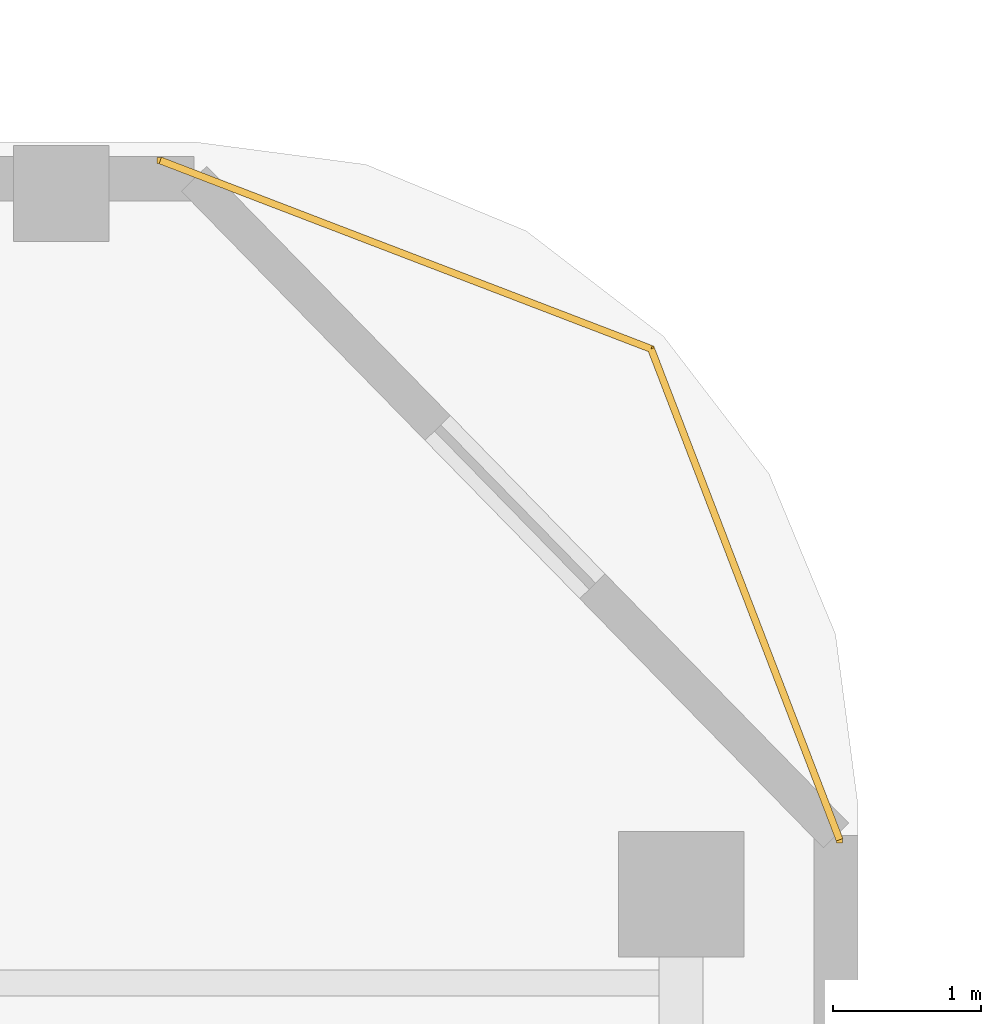
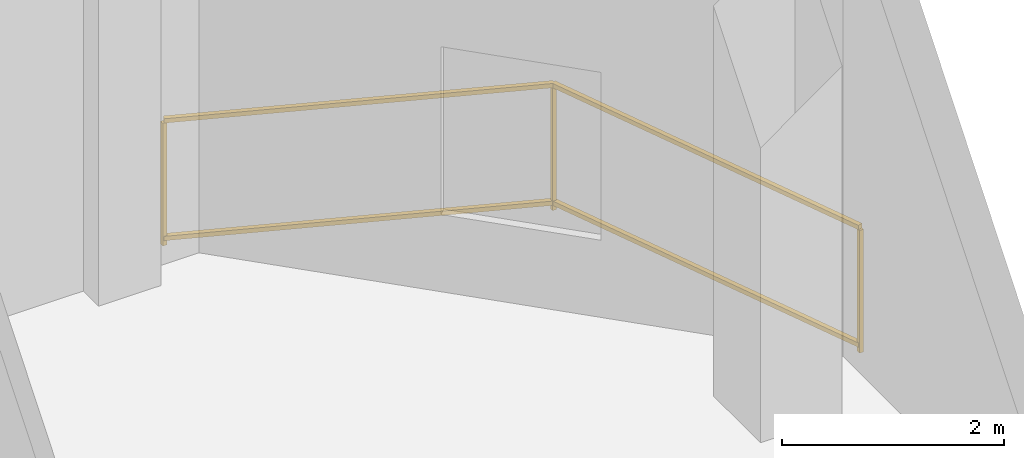
# One storey, part 23 of 24: 1 railing.
"""IFC4 building model written with IfcOpenShell, lengths in metres."""

from ifc_helpers import new_model, si_unit, direction, frame, origin, origin_2d, place, context, subcontext, project, spatial, rectangle, extrude, material, type_object, element, save


model = new_model("IFC4")

# Units and contexts
model_context = context("Model", 3, precision=1e-05, world=origin(), true_north=direction((0.0, 1.0)))
body_context = subcontext(model_context, "Body", "Model", "MODEL_VIEW")
ifc_project = project(units=[si_unit("LENGTHUNIT", "METRE"), si_unit("AREAUNIT", "SQUARE_METRE"), si_unit("VOLUMEUNIT", "CUBIC_METRE"), si_unit("PLANEANGLEUNIT", "RADIAN"), si_unit("MASSUNIT", "GRAM", prefix="KILO")], contexts=[model_context])

# Site, building, storey
site_placement = place(None, origin())
site = spatial("IfcSite", under=ifc_project, at=site_placement, CompositionType="ELEMENT")
building_placement = place(site_placement, origin())
building = spatial("IfcBuilding", under=site, at=building_placement, Name="Khorvyn Point Tower", CompositionType="ELEMENT")
storey_placement = place(building_placement, origin())
storey = spatial("IfcBuildingStorey", under=building, at=storey_placement, Name="L01", CompositionType="ELEMENT", Elevation=0.0)

# Railing
ifc_material = material(Name="Anodised aluminium 6063-T6 and laminated safety glass", Category="aluminium")
railing_type = type_object("IfcRailingType", Name="Laminated Glass and Aluminium Balcony Guardrail 1400", PredefinedType="BALUSTRADE", material=ifc_material)
railing_placement = place(storey_placement, frame((33.47412109375, 20.470703125, 0.0)))
element("IfcRailing", 1, at=railing_placement, inside=storey, type_object=railing_type, Name="L01 Rounded Corner Edge Guardrail NE", PredefinedType="BALUSTRADE", context=body_context, shape_type="SweptSolid", body=[
    extrude(rectangle(XDim=0.048095703125, YDim=0.048095703125, at=origin_2d()), frame((0.0, 0.0, 1.3759765625), z_axis=(-0.35841886047, 0.933560882031, 0.0), x_axis=(-0.933560882031, -0.35841886047, 0.0)), (0.0, 0.0, 1.0), 3.563232421875),
    extrude(rectangle(XDim=0.048095703125, YDim=0.048095703125, at=origin_2d()), frame((0.0, 0.0, 0.080078125), z_axis=(-0.35841886047, 0.933560882031, 0.0), x_axis=(-0.933560882031, -0.35841886047, 0.0)), (0.0, 0.0, 1.0), 3.563232421875),
    extrude(rectangle(XDim=0.048095703125, YDim=0.048095703125, at=origin_2d()), frame((-1.277099609375, 3.326416015625, 1.3759765625), z_axis=(-0.933575007025, 0.358382067435, 0.0), x_axis=(-0.358382067435, -0.933575007025, 0.0)), (0.0, 0.0, 1.0), 3.562744140625),
    extrude(rectangle(XDim=0.048095703125, YDim=0.048095703125, at=origin_2d()), frame((-1.277099609375, 3.326416015625, 0.080078125), z_axis=(-0.933575007025, 0.358382067435, 0.0), x_axis=(-0.358382067435, -0.933575007025, 0.0)), (0.0, 0.0, 1.0), 3.562744140625),
    extrude(rectangle(XDim=0.0419921875, YDim=0.0419921875, at=origin_2d()), origin(), (0.0, 0.0, 1.0), 1.351806640625),
    extrude(rectangle(XDim=0.0419921875, YDim=0.0419921875, at=origin_2d()), frame((-1.277099609375, 3.326416015625, 0.0)), (0.0, 0.0, 1.0), 1.351806640625),
    extrude(rectangle(XDim=0.0419921875, YDim=0.0419921875, at=origin_2d()), frame((-4.603271484375, 4.603271484375, 0.0)), (0.0, 0.0, 1.0), 1.351806640625),
])

save(model, "model.ifc")
